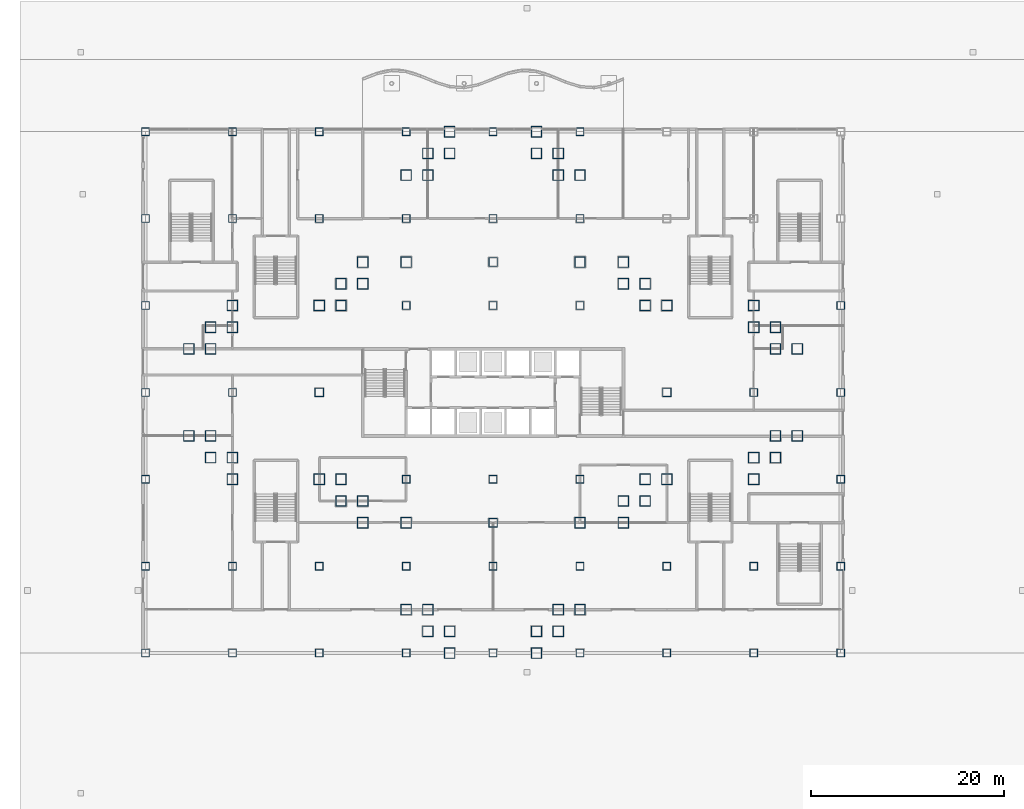
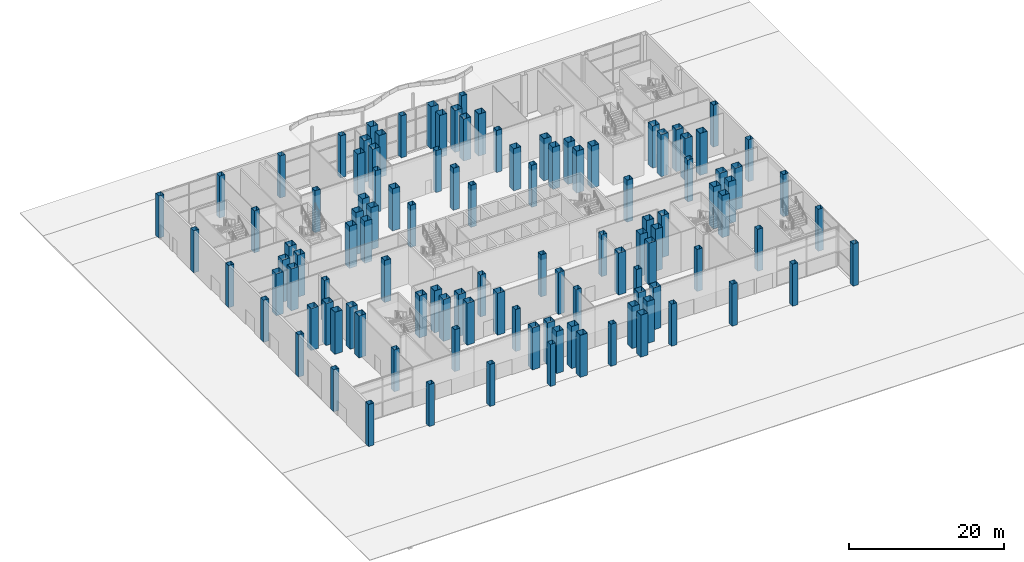
# One storey, part 2 of 38: 112 columns.
"""IFC4 building model written with IfcOpenShell, lengths in metres."""

from ifc_helpers import new_model, si_unit, direction, frame, origin, origin_2d, place, context, subcontext, project, spatial, hollow_rectangle, extrude, material, material_profile, profile_set, type_object, element, save


model = new_model("IFC4")

# Units and contexts
model_context = context("Model", 3, precision=1e-05, world=origin(), true_north=direction((0.0, 1.0)))
body_context = subcontext(model_context, "Body", "Model", "MODEL_VIEW")
ifc_project = project(units=[si_unit("LENGTHUNIT", "METRE"), si_unit("AREAUNIT", "SQUARE_METRE"), si_unit("VOLUMEUNIT", "CUBIC_METRE"), si_unit("PLANEANGLEUNIT", "RADIAN"), si_unit("MASSUNIT", "GRAM", prefix="KILO")], contexts=[model_context])

# Site, building, storey
site_placement = place(None, origin())
site = spatial("IfcSite", under=ifc_project, at=site_placement, CompositionType="ELEMENT")
building_placement = place(site_placement, origin())
building = spatial("IfcBuilding", under=site, at=building_placement, Name="Caravel Reach Hotel and Residences", CompositionType="ELEMENT")
storey_placement = place(building_placement, origin())
storey = spatial("IfcBuildingStorey", under=building, at=storey_placement, Name="L00", CompositionType="ELEMENT", Elevation=0.0)

# Columns
ifc_material_1 = material(Name="Concrete-filled steel tube Q390B with Concrete C70 infill", Category="concrete")
ifc_material_profile_1 = material_profile(ifc_material_1, hollow_rectangle(XDim=1.10009765625, YDim=1.10009765625, WallThickness=0.035888671875, at=origin_2d()), Name="RHS 1100x1100x36")
ifc_profile_set_1 = profile_set([ifc_material_profile_1], Name="Concrete-filled steel tube Q390B with Concrete C70 infill")
column_type_1 = type_object("IfcColumnType", Name="CFT 1100x1100 Q390B C70", PredefinedType="COLUMN", material=ifc_profile_set_1)
for number, where, z_axis, x_axis, name in (
    (1, (22.5, 4.5, 0.0), (0.0, 0.0, 1.0), (1.0, 0.0, 0.0), "C1 column"),
    (2, (24.75, 4.5, 0.0), (0.0, 0.0, 1.0), (1.0, 0.0, 0.0), "C1 column"),
    (3, (24.75, 2.25, 0.0), (0.0, 0.0, 1.0), (1.0, 0.0, 0.0), "C1 column"),
    (4, (27.0, 2.25, 0.0), (0.0, 0.0, 1.0), (1.0, 0.0, 0.0), "C1 column"),
    (5, (27.0, 0.0, 0.0), (0.0, 0.0, 1.0), (1.0, 0.0, 0.0), "C1 column"),
    (6, (36.0, 0.0, 0.0), (0.0, 0.0, 1.0), (1.0, 0.0, 0.0), "C1 column"),
    (7, (36.0, 2.25, 0.0), (0.0, 0.0, 1.0), (1.0, 0.0, 0.0), "C1 column"),
    (8, (38.25, 2.25, 0.0), (0.0, 0.0, 1.0), (1.0, 0.0, 0.0), "C1 column"),
    (9, (38.25, 4.5, 0.0), (0.0, 0.0, 1.0), (1.0, 0.0, 0.0), "C1 column"),
    (10, (40.5, 4.5, 0.0), (0.0, 0.0, 1.0), (1.0, 0.0, 0.0), "C1 column"),
    (11, (40.5, 13.5, 0.0), (0.0, 0.0, 1.0), (1.0, 0.0, 0.0), "C1 column"),
    (12, (45.0, 13.5, 0.0), (0.0, 0.0, 1.0), (1.0, 0.0, 0.0), "C1 column"),
    (13, (45.0, 15.75, 0.0), (0.0, 0.0, 1.0), (1.0, 0.0, 0.0), "C1 column"),
    (14, (47.25, 15.75, 0.0), (0.0, 0.0, 1.0), (1.0, 0.0, 0.0), "C1 column"),
    (15, (47.25, 18.0, 0.0), (0.0, 0.0, 1.0), (1.0, 0.0, 0.0), "C1 column"),
    (16, (49.5, 18.0, 0.0), (0.0, 0.0, 1.0), (1.0, 0.0, 0.0), "C1 column"),
    (17, (58.5, 18.0, 0.0), (0.0, 0.0, 1.0), (1.0, 0.0, 0.0), "C1 column"),
    (18, (58.5, 20.25, 0.0), (0.0, 0.0, 1.0), (1.0, 0.0, 0.0), "C1 column"),
    (19, (60.75, 20.25, 0.0), (0.0, 0.0, 1.0), (1.0, 0.0, 0.0), "C1 column"),
    (20, (60.75, 22.5, 0.0), (0.0, 0.0, 1.0), (1.0, 0.0, 0.0), "C1 column"),
    (21, (63.0, 22.5, 0.0), (0.0, 0.0, 1.0), (1.0, 0.0, 0.0), "C1 column"),
    (22, (63.0, 31.5, 0.0), (0.0, 0.0, 1.0), (1.0, 0.0, 0.0), "C1 column"),
    (23, (60.75, 31.5, 0.0), (0.0, 0.0, 1.0), (1.0, 0.0, 0.0), "C1 column"),
    (24, (60.75, 33.75, 0.0), (0.0, 0.0, 1.0), (1.0, 0.0, 0.0), "C1 column"),
    (25, (58.5, 33.75, 0.0), (0.0, 0.0, 1.0), (1.0, 0.0, 0.0), "C1 column"),
    (26, (58.5, 36.0, 0.0), (0.0, 0.0, 1.0), (1.0, 0.0, 0.0), "C1 column"),
    (27, (49.5, 36.0, 0.0), (0.0, 0.0, 1.0), (1.0, 0.0, 0.0), "C1 column"),
    (28, (47.25, 36.0, 0.0), (0.0, 0.0, 1.0), (1.0, 0.0, 0.0), "C1 column"),
    (29, (47.25, 38.25, 0.0), (0.0, 0.0, 1.0), (1.0, 0.0, 0.0), "C1 column"),
    (30, (45.0, 38.25, 0.0), (0.0, 0.0, 1.0), (1.0, 0.0, 0.0), "C1 column"),
    (31, (45.0, 40.5, 0.0), (0.0, 0.0, 1.0), (1.0, 0.0, 0.0), "C1 column"),
    (32, (40.5, 40.5, 0.0), (0.0, 0.0, 1.0), (1.0, 0.0, 0.0), "C1 column"),
    (33, (40.5, 49.5, 0.0), (0.0, 0.0, 1.0), (1.0, 0.0, 0.0), "C1 column"),
    (34, (38.25, 49.5, 0.0), (0.0, 0.0, 1.0), (1.0, 0.0, 0.0), "C1 column"),
    (35, (38.25, 51.75, 0.0), (0.0, 0.0, 1.0), (1.0, 0.0, 0.0), "C1 column"),
    (36, (36.0, 51.75, 0.0), (0.0, 0.0, 1.0), (1.0, 0.0, 0.0), "C1 column"),
    (37, (36.0, 54.0, 0.0), (0.0, 0.0, 1.0), (1.0, 0.0, 0.0), "C1 column"),
    (38, (27.0, 54.0, 0.0), (0.0, 0.0, 1.0), (1.0, 0.0, 0.0), "C1 column"),
    (39, (27.0, 51.75, 0.0), (0.0, 0.0, 1.0), (1.0, 0.0, 0.0), "C1 column"),
    (40, (24.75, 51.75, 0.0), (0.0, 0.0, 1.0), (1.0, 0.0, 0.0), "C1 column"),
    (41, (24.75, 49.5, 0.0), (0.0, 0.0, 1.0), (1.0, 0.0, 0.0), "C1 column"),
    (42, (22.5, 49.5, 0.0), (0.0, 0.0, 1.0), (1.0, 0.0, 0.0), "C1 column"),
    (43, (22.5, 40.5, 0.0), (0.0, 0.0, 1.0), (1.0, 0.0, 0.0), "C1 column"),
    (44, (18.0, 40.5, 0.0), (0.0, 0.0, 1.0), (1.0, 0.0, 0.0), "C1 column"),
    (45, (18.0, 38.25, 0.0), (0.0, 0.0, 1.0), (1.0, 0.0, 0.0), "C1 column"),
    (46, (15.75, 38.25, 0.0), (0.0, 0.0, 1.0), (1.0, 0.0, 0.0), "C1 column"),
    (47, (15.75, 36.0, 0.0), (0.0, 0.0, 1.0), (1.0, 0.0, 0.0), "C1 column"),
    (48, (13.5, 36.0, 0.0), (0.0, 0.0, 1.0), (1.0, 0.0, 0.0), "C1 column"),
    (49, (4.5, 36.0, 0.0), (0.0, 0.0, 1.0), (1.0, 0.0, 0.0), "C1 column"),
    (50, (4.5, 33.75, 0.0), (0.0, 0.0, 1.0), (1.0, 0.0, 0.0), "C1 column"),
    (51, (2.25, 33.75, 0.0), (0.0, 0.0, 1.0), (1.0, 0.0, 0.0), "C1 column"),
    (52, (2.25, 31.5, 0.0), (0.0, 0.0, 1.0), (1.0, 0.0, 0.0), "C1 column"),
    (53, (0.0, 31.5, 0.0), (0.0, 0.0, 1.0), (1.0, 0.0, 0.0), "C1 column"),
    (54, (0.0, 22.5, 0.0), (0.0, 0.0, 1.0), (1.0, 0.0, 0.0), "C1 column"),
    (55, (2.25, 22.5, 0.0), (0.0, 0.0, 1.0), (1.0, 0.0, 0.0), "C1 column"),
    (56, (2.25, 20.25, 0.0), (0.0, 0.0, 1.0), (1.0, 0.0, 0.0), "C1 column"),
    (57, (4.5, 20.25, 0.0), (0.0, 0.0, 1.0), (1.0, 0.0, 0.0), "C1 column"),
    (58, (4.5, 18.0, 0.0), (0.0, 0.0, 1.0), (1.0, 0.0, 0.0), "C1 column"),
    (59, (13.5, 18.0, 0.0), (0.0, 0.0, 1.0), (1.0, 0.0, 0.0), "C1 column"),
    (60, (15.75, 18.0, 0.0), (0.0, 0.0, 1.0), (1.0, 0.0, 0.0), "C1 column"),
    (61, (15.75, 15.75, 0.0), (0.0, 0.0, 1.0), (1.0, 0.0, 0.0), "C1 column"),
    (62, (18.0, 15.75, 0.0), (0.0, 0.0, 1.0), (1.0, 0.0, 0.0), "C1 column"),
    (63, (18.0, 13.5, 0.0), (0.0, 0.0, 1.0), (1.0, 0.0, 0.0), "C1 column"),
    (64, (22.5, 13.5, 0.0), (0.0, 0.0, 1.0), (1.0, 0.0, 0.0), "C1 column"),
):
    element("IfcColumn", number, at=place(storey_placement, frame(where, z_axis=z_axis, x_axis=x_axis)), inside=storey, type_object=column_type_1, Name=name, PredefinedType="COLUMN", context=body_context, shape_type="SweptSolid", body=[
        extrude(hollow_rectangle(XDim=1.10009765625, YDim=1.10009765625, WallThickness=0.035888671875, at=origin_2d()), origin(), (0.0, 0.0, 1.0), 6.60009765625),
    ])
ifc_material_2 = material(Name="Concrete-filled steel tube Q390B with Concrete C70 infill", Category="concrete")
ifc_material_profile_2 = material_profile(ifc_material_2, hollow_rectangle(XDim=0.800048828125, YDim=0.800048828125, WallThickness=0.02490234375, at=origin_2d()), Name="RHS 800x800x25")
ifc_profile_set_2 = profile_set([ifc_material_profile_2], Name="Concrete-filled steel tube Q390B with Concrete C70 infill")
column_type_2 = type_object("IfcColumnType", Name="CFT 800x800 Q390B C70", PredefinedType="COLUMN", material=ifc_profile_set_2)
for number, where, z_axis, x_axis, name in (
    (65, (-4.5, 0.0, 0.0), (0.0, 0.0, 1.0), (1.0, 0.0, 0.0), "C4 column"),
    (66, (-4.5, 9.0, 0.0), (0.0, 0.0, 1.0), (1.0, 0.0, 0.0), "C4 column"),
    (67, (-4.5, 18.0, 0.0), (0.0, 0.0, 1.0), (1.0, 0.0, 0.0), "C4 column"),
    (68, (-4.5, 27.0, 0.0), (0.0, 0.0, 1.0), (1.0, 0.0, 0.0), "C4 column"),
    (69, (-4.5, 36.0, 0.0), (0.0, 0.0, 1.0), (1.0, 0.0, 0.0), "C4 column"),
    (70, (-4.5, 45.0, 0.0), (0.0, 0.0, 1.0), (1.0, 0.0, 0.0), "C4 column"),
    (71, (-4.5, 54.0, 0.0), (0.0, 0.0, 1.0), (1.0, 0.0, 0.0), "C4 column"),
    (72, (4.5, 0.0, 0.0), (0.0, 0.0, 1.0), (1.0, 0.0, 0.0), "C4 column"),
    (73, (4.5, 54.0, 0.0), (0.0, 0.0, 1.0), (1.0, 0.0, 0.0), "C4 column"),
    (74, (13.5, 0.0, 0.0), (0.0, 0.0, 1.0), (1.0, 0.0, 0.0), "C4 column"),
    (75, (13.5, 54.0, 0.0), (0.0, 0.0, 1.0), (1.0, 0.0, 0.0), "C4 column"),
    (76, (22.5, 0.0, 0.0), (0.0, 0.0, 1.0), (1.0, 0.0, 0.0), "C4 column"),
    (77, (22.5, 54.0, 0.0), (0.0, 0.0, 1.0), (1.0, 0.0, 0.0), "C4 column"),
    (78, (31.5, 0.0, 0.0), (0.0, 0.0, 1.0), (1.0, 0.0, 0.0), "C4 column"),
    (79, (31.5, 54.0, 0.0), (0.0, 0.0, 1.0), (1.0, 0.0, 0.0), "C4 column"),
    (80, (40.5, 0.0, 0.0), (0.0, 0.0, 1.0), (1.0, 0.0, 0.0), "C4 column"),
    (81, (40.5, 54.0, 0.0), (0.0, 0.0, 1.0), (1.0, 0.0, 0.0), "C4 column"),
    (82, (49.5, 0.0, 0.0), (0.0, 0.0, 1.0), (1.0, 0.0, 0.0), "C4 column"),
    (83, (58.5, 0.0, 0.0), (0.0, 0.0, 1.0), (1.0, 0.0, 0.0), "C4 column"),
    (84, (67.5, 0.0, 0.0), (0.0, 0.0, 1.0), (1.0, 0.0, 0.0), "C4 column"),
    (85, (67.5, 9.0, 0.0), (0.0, 0.0, 1.0), (1.0, 0.0, 0.0), "C4 column"),
    (86, (67.5, 18.0, 0.0), (0.0, 0.0, 1.0), (1.0, 0.0, 0.0), "C4 column"),
    (87, (67.5, 27.0, 0.0), (0.0, 0.0, 1.0), (1.0, 0.0, 0.0), "C4 column"),
    (88, (67.5, 36.0, 0.0), (0.0, 0.0, 1.0), (1.0, 0.0, 0.0), "C4 column"),
    (89, (4.5, 9.0, 0.0), (0.0, 0.0, 1.0), (1.0, 0.0, 0.0), "C4 column"),
    (90, (4.5, 27.0, 0.0), (0.0, 0.0, 1.0), (1.0, 0.0, 0.0), "C4 column"),
    (91, (4.5, 45.0, 0.0), (0.0, 0.0, 1.0), (1.0, 0.0, 0.0), "C4 column"),
    (92, (13.5, 9.0, 0.0), (0.0, 0.0, 1.0), (1.0, 0.0, 0.0), "C4 column"),
    (93, (13.5, 45.0, 0.0), (0.0, 0.0, 1.0), (1.0, 0.0, 0.0), "C4 column"),
    (94, (22.5, 9.0, 0.0), (0.0, 0.0, 1.0), (1.0, 0.0, 0.0), "C4 column"),
    (95, (22.5, 18.0, 0.0), (0.0, 0.0, 1.0), (1.0, 0.0, 0.0), "C4 column"),
    (96, (22.5, 36.0, 0.0), (0.0, 0.0, 1.0), (1.0, 0.0, 0.0), "C4 column"),
    (97, (22.5, 45.0, 0.0), (0.0, 0.0, 1.0), (1.0, 0.0, 0.0), "C4 column"),
    (98, (31.5, 9.0, 0.0), (0.0, 0.0, 1.0), (1.0, 0.0, 0.0), "C4 column"),
    (99, (31.5, 18.0, 0.0), (0.0, 0.0, 1.0), (1.0, 0.0, 0.0), "C4 column"),
    (100, (31.5, 36.0, 0.0), (0.0, 0.0, 1.0), (1.0, 0.0, 0.0), "C4 column"),
    (101, (31.5, 45.0, 0.0), (0.0, 0.0, 1.0), (1.0, 0.0, 0.0), "C4 column"),
    (102, (40.5, 9.0, 0.0), (0.0, 0.0, 1.0), (1.0, 0.0, 0.0), "C4 column"),
    (103, (40.5, 18.0, 0.0), (0.0, 0.0, 1.0), (1.0, 0.0, 0.0), "C4 column"),
    (104, (40.5, 36.0, 0.0), (0.0, 0.0, 1.0), (1.0, 0.0, 0.0), "C4 column"),
    (105, (40.5, 45.0, 0.0), (0.0, 0.0, 1.0), (1.0, 0.0, 0.0), "C4 column"),
    (106, (49.5, 9.0, 0.0), (0.0, 0.0, 1.0), (1.0, 0.0, 0.0), "C4 column"),
    (107, (58.5, 9.0, 0.0), (0.0, 0.0, 1.0), (1.0, 0.0, 0.0), "C4 column"),
    (108, (58.5, 27.0, 0.0), (0.0, 0.0, 1.0), (1.0, 0.0, 0.0), "C4 column"),
):
    element("IfcColumn", number, at=place(storey_placement, frame(where, z_axis=z_axis, x_axis=x_axis)), inside=storey, type_object=column_type_2, Name=name, PredefinedType="COLUMN", context=body_context, shape_type="SweptSolid", body=[
        extrude(hollow_rectangle(XDim=0.800048828125, YDim=0.800048828125, WallThickness=0.02490234375, at=origin_2d()), origin(), (0.0, 0.0, 1.0), 6.60009765625),
    ])
ifc_material_3 = material(Name="Concrete-filled steel tube Q390B with Concrete C70 infill", Category="concrete")
ifc_material_profile_3 = material_profile(ifc_material_3, hollow_rectangle(XDim=0.89990234375, YDim=0.89990234375, WallThickness=0.028076171875, at=origin_2d()), Name="RHS 900x900x28")
ifc_profile_set_3 = profile_set([ifc_material_profile_3], Name="Concrete-filled steel tube Q390B with Concrete C70 infill")
column_type_3 = type_object("IfcColumnType", Name="CFT 900x900 Q390B C70", PredefinedType="COLUMN", material=ifc_profile_set_3)
for number, where, z_axis, x_axis, name in (
    (109, (31.5, 40.5, 0.0), (0.0, 0.0, 1.0), (1.0, 0.0, 0.0), "C3 column"),
    (110, (31.5, 13.5, 0.0), (0.0, 0.0, 1.0), (1.0, 0.0, 0.0), "C3 column"),
    (111, (13.5, 27.0, 0.0), (0.0, 0.0, 1.0), (1.0, 0.0, 0.0), "C3 column"),
    (112, (49.5, 27.0, 0.0), (0.0, 0.0, 1.0), (1.0, 0.0, 0.0), "C3 column"),
):
    element("IfcColumn", number, at=place(storey_placement, frame(where, z_axis=z_axis, x_axis=x_axis)), inside=storey, type_object=column_type_3, Name=name, PredefinedType="COLUMN", context=body_context, shape_type="SweptSolid", body=[
        extrude(hollow_rectangle(XDim=0.89990234375, YDim=0.89990234375, WallThickness=0.028076171875, at=origin_2d()), origin(), (0.0, 0.0, 1.0), 6.60009765625),
    ])

save(model, "model.ifc")
